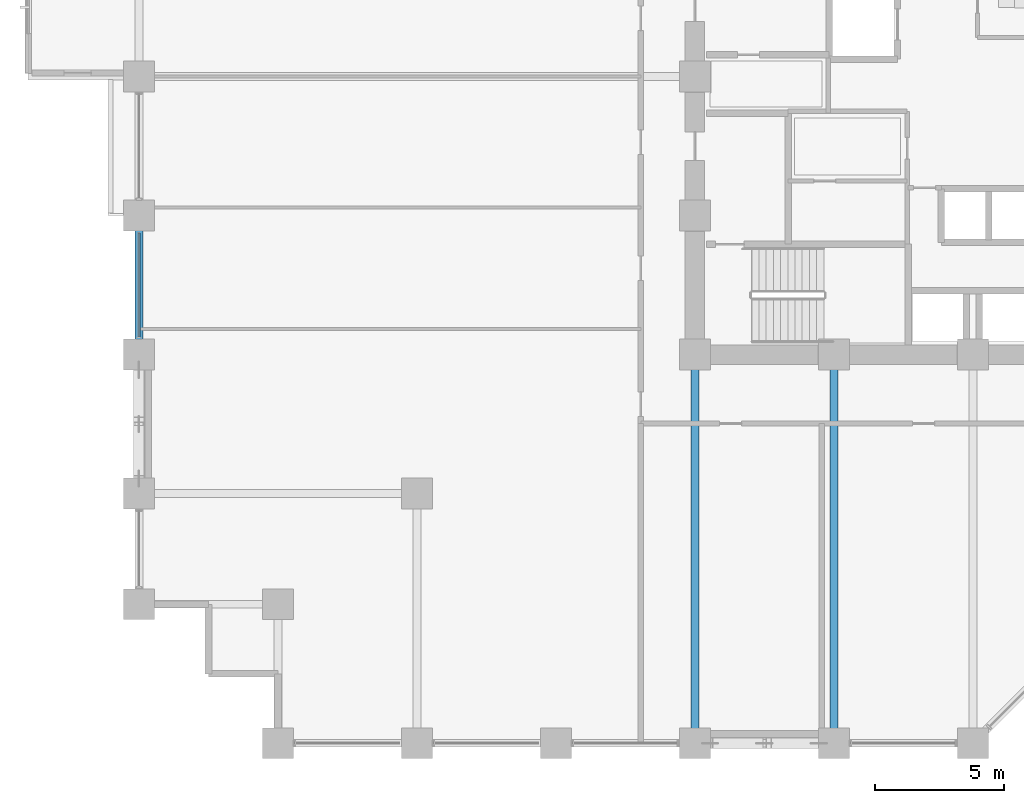
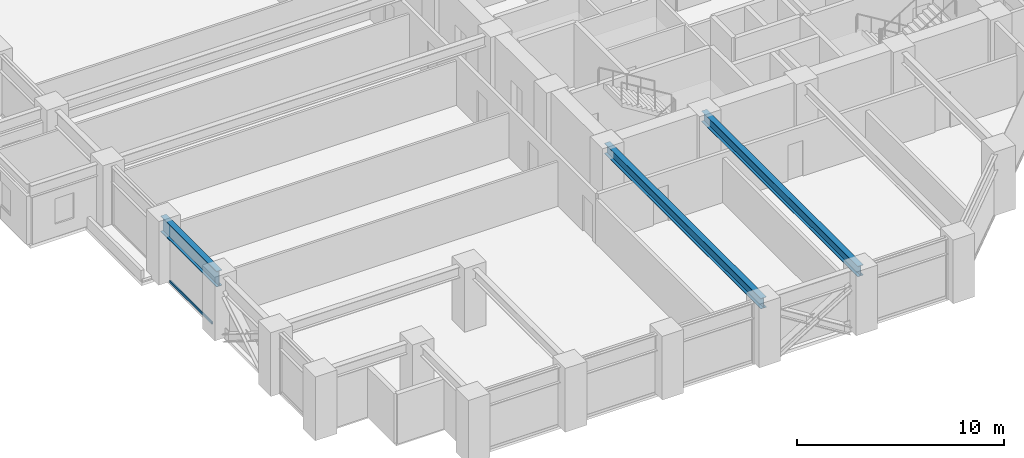
# One storey, part 4 of 28: 3 beams, 1 member, 1 element without a shape of its own.
"""IFC4 building model written with IfcOpenShell, lengths in metres."""

from ifc_helpers import new_model, si_unit, direction, frame, origin, origin_2d, place, context, subcontext, project, spatial, hollow_rectangle, i_section, extrude, material, layer, layer_set, material_profile, profile_set, type_object, element, aggregate, save


model = new_model("IFC4")

# Units and contexts
model_context = context("Model", 3, precision=1e-05, world=origin(), true_north=direction((0.0, 1.0)))
body_context = subcontext(model_context, "Body", "Model", "MODEL_VIEW")
ifc_project = project(units=[si_unit("LENGTHUNIT", "METRE"), si_unit("AREAUNIT", "SQUARE_METRE"), si_unit("VOLUMEUNIT", "CUBIC_METRE"), si_unit("PLANEANGLEUNIT", "RADIAN"), si_unit("MASSUNIT", "GRAM", prefix="KILO")], contexts=[model_context])

# Site, building, storey
site_placement = place(None, origin())
site = spatial("IfcSite", under=ifc_project, at=site_placement, CompositionType="ELEMENT")
building_placement = place(site_placement, origin())
building = spatial("IfcBuilding", under=site, at=building_placement, Name="Surkhivell Harbour Commons", CompositionType="ELEMENT")
storey_placement = place(building_placement, frame((0.0, 0.0, 63.75)))
storey = spatial("IfcBuildingStorey", under=building, at=storey_placement, Name="L16", CompositionType="ELEMENT", Elevation=63.75)

# Beams
ifc_material_1 = material(Name="Steel S355", Category="steel")
ifc_material_profile_1 = material_profile(ifc_material_1, i_section(OverallWidth=0.306884765625, OverallDepth=0.6201171875, WebThickness=0.01416015625, FlangeThickness=0.023681640625, at=origin_2d()), Name="UB610x305x179")
ifc_profile_set_1 = profile_set([ifc_material_profile_1], Name="Steel S355")
beam_type_1 = type_object("IfcBeamType", Name="BM-GRD-610A", PredefinedType="BEAM", material=ifc_profile_set_1)
for number, where, z_axis, x_axis, name in (
    (1, (-10.800048828125, -25.89990234375, 3.260009765625), (0.0, 1.0, 0.0), (-1.0, 0.0, 0.0), "L16 Floor Girder (-10.8,-25.9)"),
    (2, (-5.39990234375, -25.89990234375, 3.260009765625), (0.0, 1.0, 0.0), (-1.0, 0.0, 0.0), "L16 Floor Girder (-5.4,-25.9)"),
):
    element("IfcBeam", number, at=place(storey_placement, frame(where, z_axis=z_axis, x_axis=x_axis)), inside=storey, type_object=beam_type_1, Name=name, PredefinedType="BEAM", context=body_context, shape_type="SweptSolid", body=[
        extrude(i_section(OverallWidth=0.306884765625, OverallDepth=0.6201171875, WebThickness=0.01416015625, FlangeThickness=0.023681640625, at=origin_2d()), origin(), (0.0, 0.0, 1.0), 15.099853515625),
    ])
ifc_material_2 = material(Name="Steel S460", Category="steel")
ifc_material_profile_2 = material_profile(ifc_material_2, i_section(OverallWidth=0.30810546875, OverallDepth=0.927001953125, WebThickness=0.01953125, FlangeThickness=0.031982421875, at=origin_2d()), Name="UB914x305x289")
ifc_profile_set_2 = profile_set([ifc_material_profile_2], Name="Steel S460")
beam_type_2 = type_object("IfcBeamType", Name="BM-SPN-914B", PredefinedType="SPANDREL", material=ifc_profile_set_2)
beam_placement = place(storey_placement, frame((-32.39990234375, -10.800048828125, 3.1064453125), z_axis=(0.0, 1.0, 0.0), x_axis=(-1.0, 0.0, 0.0)))
element("IfcBeam", 3, at=beam_placement, inside=storey, type_object=beam_type_2, Name="L16 Tube Spandrel (-32.4,-10.8)", PredefinedType="SPANDREL", context=body_context, shape_type="SweptSolid", body=[
    extrude(i_section(OverallWidth=0.30810546875, OverallDepth=0.927001953125, WebThickness=0.01953125, FlangeThickness=0.031982421875, at=origin_2d()), origin(), (0.0, 0.0, 1.0), 5.400146484375),
])

# Curtain wall, member
ifc_material_3 = material(Name="Anodised pale-metal aluminium and insulated glazing", Category="aluminium")
ifc_layer = layer(ifc_material_3, 0.219970703125)
ifc_layer_set = layer_set([ifc_layer], Name="Anodised pale-metal aluminium and insulated glazing")
curtain_wall_type = type_object("IfcCurtainWallType", Name="CW-SYS-Z1", PredefinedType="NOTDEFINED", material=ifc_layer_set)
curtain_wall_placement = place(storey_placement, origin())
curtain_wall = element("IfcCurtainWall", 4, at=curtain_wall_placement, inside=storey, type_object=curtain_wall_type, Name="L16 Curtain Wall CW-L16-E12R1S2", PredefinedType="NOTDEFINED")
ifc_material_4 = material(Name="Anodised pale-metal aluminium alloy 6063-T6", Category="aluminium")
ifc_material_profile_3 = material_profile(ifc_material_4, hollow_rectangle(XDim=0.074951171875, YDim=0.14990234375, WallThickness=0.00341796875, at=origin_2d()), Name="ALU-TRAN-75x150")
ifc_profile_set_3 = profile_set([ifc_material_profile_3], Name="Anodised pale-metal aluminium alloy 6063-T6")
member_type = type_object("IfcMemberType", Name="CWT-150", PredefinedType="USERDEFINED", material=ifc_profile_set_3)
member_placement = place(storey_placement, frame((-32.39990234375, -10.123046875, 0.074951171875), z_axis=(0.0, 1.0, 0.0), x_axis=(-1.0, 0.0, 0.0)))
member = element("IfcMember", 5, at=member_placement, type_object=member_type, Name="CW-Z1 transom 1.1", ObjectType="TRANSOM", PredefinedType="USERDEFINED", context=body_context, shape_type="SweptSolid", body=[
    extrude(hollow_rectangle(XDim=0.074951171875, YDim=0.14990234375, WallThickness=0.00341796875, at=origin_2d()), origin(), (0.0, 0.0, 1.0), 4.046142578125),
])
aggregate(curtain_wall, [member])

save(model, "model.ifc")
